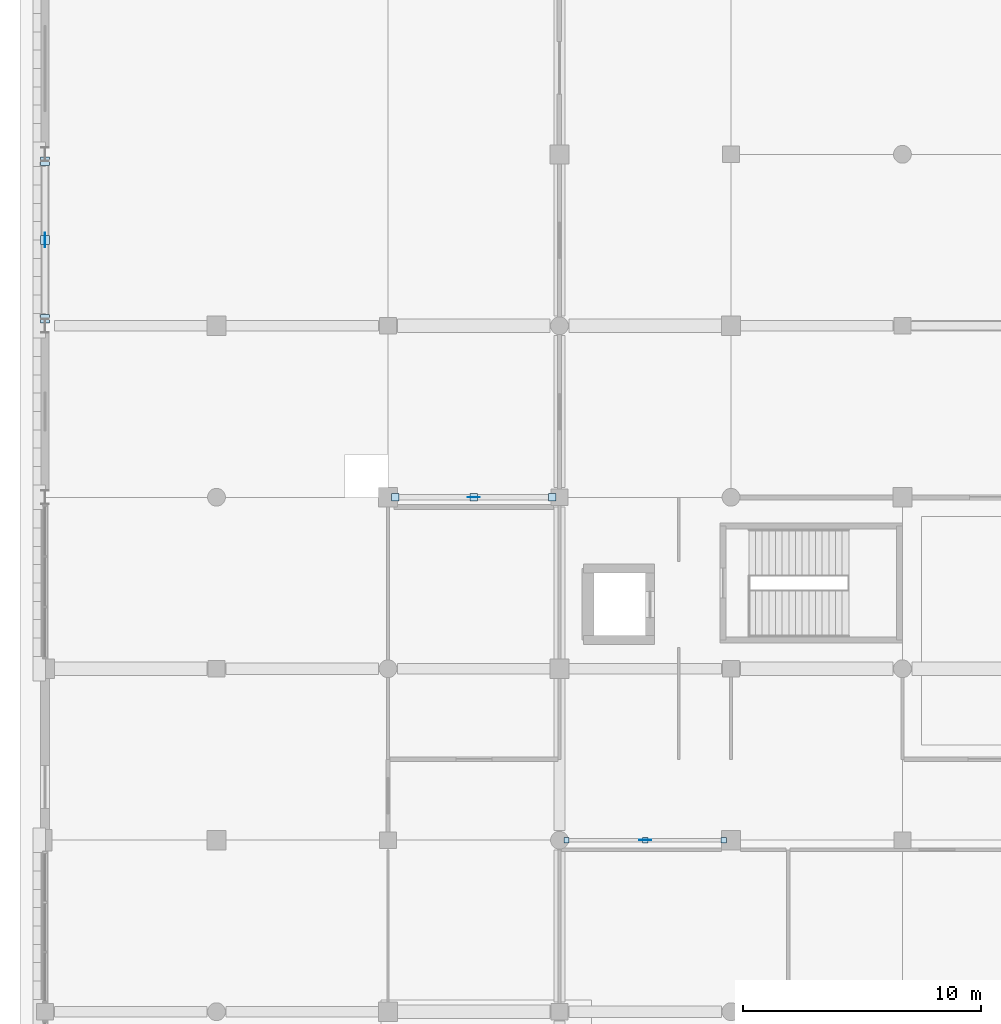
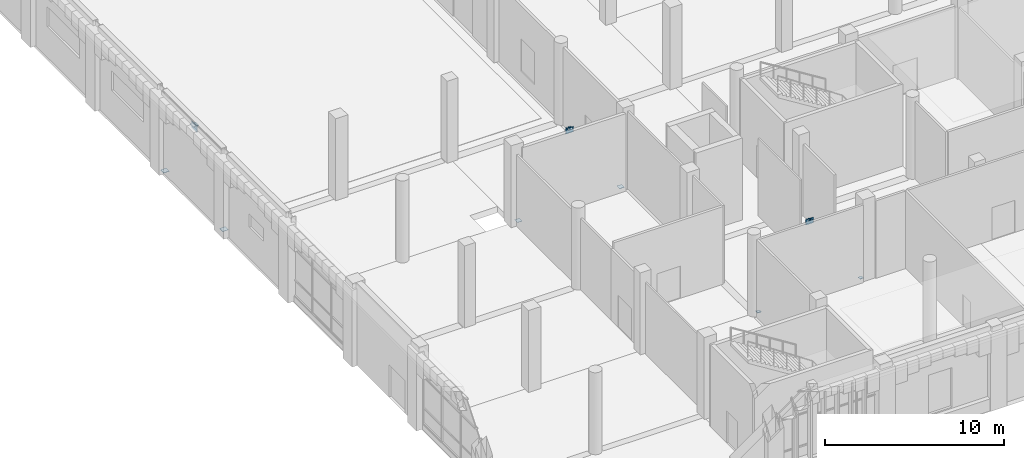
# One storey, part 47 of 85: 12 plates.
"""IFC4 building model written with IfcOpenShell, lengths in metres."""

from ifc_helpers import new_model, si_unit, direction, frame, origin, origin_2d, place, context, subcontext, project, spatial, rectangle, extrude, material, layer, layer_set, type_object, element, save


model = new_model("IFC4")

# Units and contexts
model_context = context("Model", 3, precision=1e-05, world=origin(), true_north=direction((0.0, 1.0)))
body_context = subcontext(model_context, "Body", "Model", "MODEL_VIEW")
ifc_project = project(units=[si_unit("LENGTHUNIT", "METRE"), si_unit("AREAUNIT", "SQUARE_METRE"), si_unit("VOLUMEUNIT", "CUBIC_METRE"), si_unit("PLANEANGLEUNIT", "RADIAN"), si_unit("MASSUNIT", "GRAM", prefix="KILO")], contexts=[model_context])

# Site, building, storey
site_placement = place(None, origin())
site = spatial("IfcSite", under=ifc_project, at=site_placement, CompositionType="ELEMENT")
building_placement = place(site_placement, origin())
building = spatial("IfcBuilding", under=site, at=building_placement, Name="Sardonyx Promenade Sports Hall", CompositionType="ELEMENT")
storey_placement = place(building_placement, origin())
storey = spatial("IfcBuildingStorey", under=building, at=storey_placement, Name="L00", CompositionType="ELEMENT", Elevation=0.0)

# Plates
ifc_material_1 = material(Name="Steel S355JR", Category="steel")
ifc_layer_1 = layer(ifc_material_1, 0.02001953125)
ifc_layer_set_1 = layer_set([ifc_layer_1], Name="Plt_EndCap_EC1")
plate_type_1 = type_object("IfcPlateType", Name="Plt_EndCap_EC1", PredefinedType="USERDEFINED", material=ifc_layer_set_1)
for number, where, z_axis, x_axis, name in (
    (1, (0.0, 36.300048828125, 0.010009765625), (0.0, 0.0, 1.0), (1.0, 0.0, 0.0), "Brace foot end-cap plate EC1 BF1 L00 L1"),
    (2, (0.0, 42.89990234375, 0.010009765625), (0.0, 0.0, 1.0), (1.0, 0.0, 0.0), "Brace foot end-cap plate EC1 BF1 L00 L2"),
    (3, (0.0, 39.60009765625, 5.155029296875), (0.0, 0.0, 1.0), (1.0, 0.0, 0.0), "Brace apex cap plate EC1 BF1 L00"),
):
    element("IfcPlate", number, at=place(storey_placement, frame(where, z_axis=z_axis, x_axis=x_axis)), inside=storey, type_object=plate_type_1, Name=name, ObjectType="END CAP PLATE", PredefinedType="USERDEFINED", context=body_context, shape_type="SweptSolid", body=[
        extrude(rectangle(XDim=0.360107421875, YDim=0.360107421875, at=origin_2d()), origin(), (0.0, 0.0, 1.0), 0.02001953125),
    ])
ifc_material_2 = material(Name="Steel S355JR", Category="steel")
ifc_layer_2 = layer(ifc_material_2, 0.01611328125)
ifc_layer_set_2 = layer_set([ifc_layer_2], Name="Plt_EndCap_EC2")
plate_type_2 = type_object("IfcPlateType", Name="Plt_EndCap_EC2", PredefinedType="USERDEFINED", material=ifc_layer_set_2)
for number, where, z_axis, x_axis, name in (
    (4, (14.699951171875, 28.800048828125, 0.011962890625), (0.0, 0.0, 1.0), (1.0, 0.0, 0.0), "Brace foot end-cap plate EC2 BF5 L00 L1"),
    (5, (21.300048828125, 28.800048828125, 0.011962890625), (0.0, 0.0, 1.0), (1.0, 0.0, 0.0), "Brace foot end-cap plate EC2 BF5 L00 L2"),
    (6, (18.0, 28.800048828125, 5.156982421875), (0.0, 0.0, 1.0), (1.0, 0.0, 0.0), "Brace apex cap plate EC2 BF5 L00"),
):
    element("IfcPlate", number, at=place(storey_placement, frame(where, z_axis=z_axis, x_axis=x_axis)), inside=storey, type_object=plate_type_2, Name=name, ObjectType="END CAP PLATE", PredefinedType="USERDEFINED", context=body_context, shape_type="SweptSolid", body=[
        extrude(rectangle(XDim=0.320068359375, YDim=0.320068359375, at=origin_2d()), origin(), (0.0, 0.0, 1.0), 0.01611328125),
    ])
ifc_material_3 = material(Name="Steel S355JR", Category="steel")
ifc_layer_3 = layer(ifc_material_3, 0.011962890625)
ifc_layer_set_3 = layer_set([ifc_layer_3], Name="Plt_EndCap_EC3")
plate_type_3 = type_object("IfcPlateType", Name="Plt_EndCap_EC3", PredefinedType="USERDEFINED", material=ifc_layer_set_3)
for number, where, z_axis, x_axis, name in (
    (7, (21.89990234375, 14.39990234375, 0.01416015625), (0.0, 0.0, 1.0), (1.0, 0.0, 0.0), "Brace foot end-cap plate EC3 BF7 L00 L1"),
    (8, (28.5, 14.39990234375, 0.01416015625), (0.0, 0.0, 1.0), (1.0, 0.0, 0.0), "Brace foot end-cap plate EC3 BF7 L00 L2"),
    (9, (25.199951171875, 14.39990234375, 5.1591796875), (0.0, 0.0, 1.0), (1.0, 0.0, 0.0), "Brace apex cap plate EC3 BF7 L00"),
):
    element("IfcPlate", number, at=place(storey_placement, frame(where, z_axis=z_axis, x_axis=x_axis)), inside=storey, type_object=plate_type_3, Name=name, ObjectType="END CAP PLATE", PredefinedType="USERDEFINED", context=body_context, shape_type="SweptSolid", body=[
        extrude(rectangle(XDim=0.219970703125, YDim=0.219970703125, at=origin_2d()), origin(), (0.0, 0.0, 1.0), 0.011962890625),
    ])
ifc_material_4 = material(Name="Steel S355JR", Category="steel")
ifc_layer_4 = layer(ifc_material_4, 0.02490234375)
ifc_layer_set_4 = layer_set([ifc_layer_4], Name="Plt_Gusset_KN1")
plate_type_4 = type_object("IfcPlateType", Name="Plt_Gusset_KN1", PredefinedType="USERDEFINED", material=ifc_layer_set_4)
plate_placement = place(storey_placement, frame((0.0, 39.60009765625, 4.80517578125), z_axis=(0.0, 0.0, 1.0), x_axis=(0.0, 1.0, 0.0)))
element("IfcPlate", 10, at=plate_placement, inside=storey, type_object=plate_type_4, Name="Braced-frame apex gusset KN1 BF1 L00", ObjectType="GUSSET PLATE", PredefinedType="USERDEFINED", context=body_context, shape_type="SweptSolid", body=[
    extrude(rectangle(XDim=0.60009765625, YDim=0.02490234375, at=origin_2d()), origin(), (0.0, 0.0, 1.0), 0.449951171875),
])
ifc_material_5 = material(Name="Steel S355JR", Category="steel")
ifc_layer_5 = layer(ifc_material_5, 0.02001953125)
ifc_layer_set_5 = layer_set([ifc_layer_5], Name="Plt_Gusset_KN2")
plate_type_5 = type_object("IfcPlateType", Name="Plt_Gusset_KN2", PredefinedType="USERDEFINED", material=ifc_layer_set_5)
for number, where, z_axis, x_axis, name in (
    (11, (18.0, 28.800048828125, 4.840087890625), (0.0, 0.0, 1.0), (1.0, 0.0, 0.0), "Braced-frame apex gusset KN2 BF5 L00"),
    (12, (25.199951171875, 14.39990234375, 4.840087890625), (0.0, 0.0, 1.0), (1.0, 0.0, 0.0), "Braced-frame apex gusset KN2 BF7 L00"),
):
    element("IfcPlate", number, at=place(storey_placement, frame(where, z_axis=z_axis, x_axis=x_axis)), inside=storey, type_object=plate_type_5, Name=name, ObjectType="GUSSET PLATE", PredefinedType="USERDEFINED", context=body_context, shape_type="SweptSolid", body=[
        extrude(rectangle(XDim=0.5, YDim=0.02001953125, at=origin_2d()), origin(), (0.0, 0.0, 1.0), 0.3798828125),
    ])

save(model, "model.ifc")
